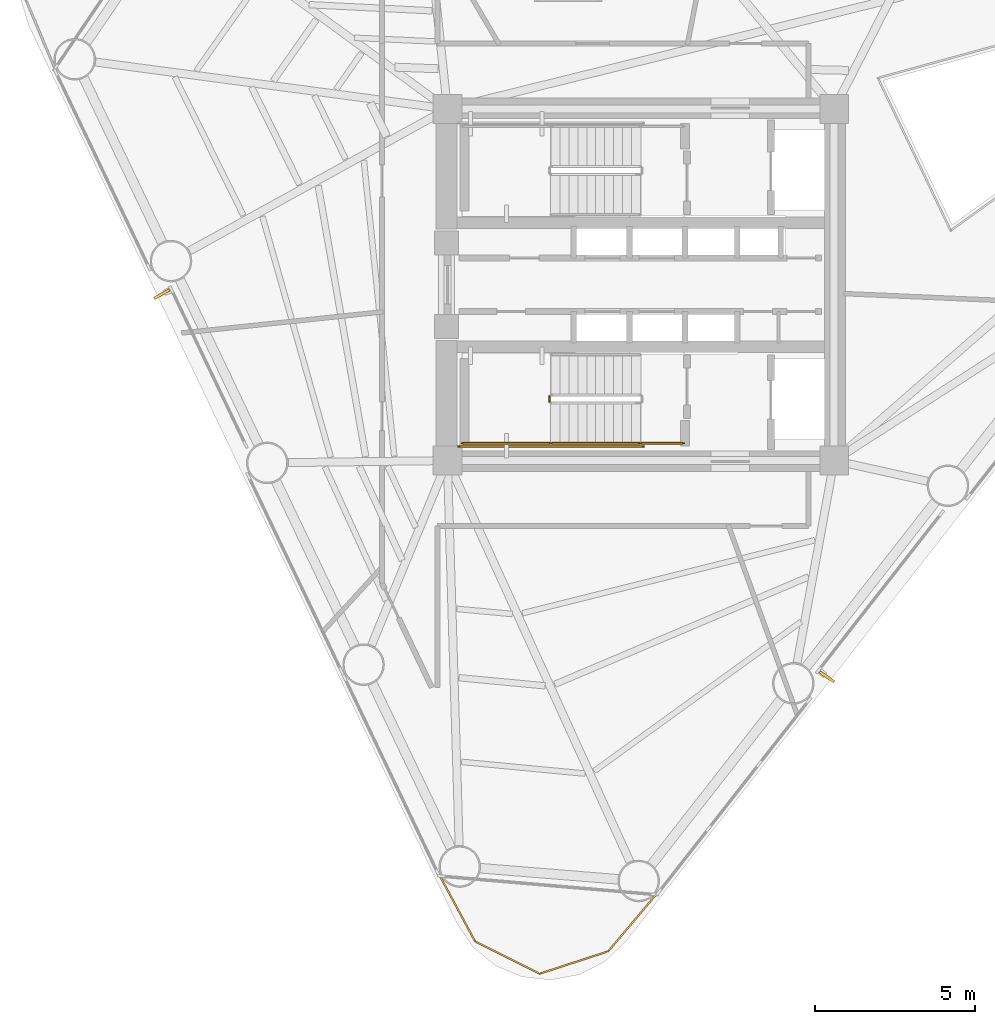
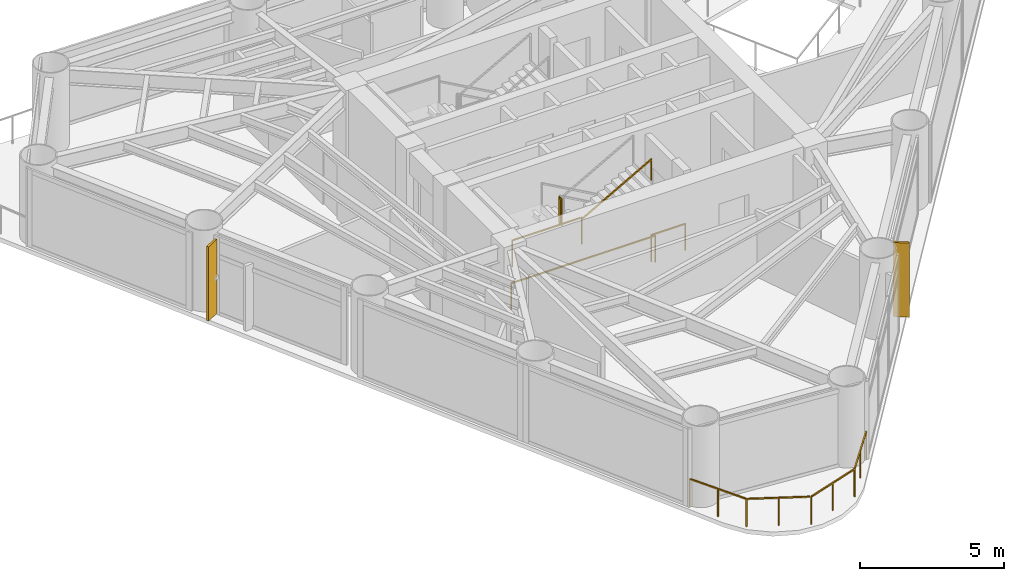
# One storey, part 8 of 10: 6 railings, 2 shading devices.
"""IFC4 building model written with IfcOpenShell, lengths in metres."""

from ifc_helpers import new_model, si_unit, direction, frame, origin, origin_2d, place, context, subcontext, project, spatial, rectangle, extrude, source, transform, mapped, material, material_profile, profile_set, type_object, element, save


model = new_model("IFC4")

# Units and contexts
model_context = context("Model", 3, precision=1e-05, world=origin(), true_north=direction((0.0, 1.0)))
body_context = subcontext(model_context, "Body", "Model", "MODEL_VIEW")
ifc_project = project(units=[si_unit("LENGTHUNIT", "METRE"), si_unit("AREAUNIT", "SQUARE_METRE"), si_unit("VOLUMEUNIT", "CUBIC_METRE"), si_unit("PLANEANGLEUNIT", "RADIAN"), si_unit("MASSUNIT", "GRAM", prefix="KILO")], contexts=[model_context])

# Site, building, storey
site_placement = place(None, origin())
site = spatial("IfcSite", under=ifc_project, at=site_placement, CompositionType="ELEMENT")
building_placement = place(site_placement, origin())
building = spatial("IfcBuilding", under=site, at=building_placement, Name="Yunling Apex Tower", CompositionType="ELEMENT")
storey_placement = place(building_placement, frame((0.0, 0.0, 136.39990234375)))
storey = spatial("IfcBuildingStorey", under=building, at=storey_placement, Name="L33", CompositionType="ELEMENT", Elevation=136.39990234375)

# Railings
ifc_material_1 = material(Name="Bronze anodised aluminium", Category="aluminium")
railing_type_1 = type_object("IfcRailingType", Name="RL-BAL-1200", PredefinedType="BALUSTRADE", material=ifc_material_1)
railing_1_placement = place(storey_placement, frame((0.4794921875, -19.07958984375, 0.0)))
element("IfcRailing", 1, at=railing_1_placement, inside=storey, type_object=railing_type_1, Name="RL-CRNSILL-L33-3", PredefinedType="BALUSTRADE", context=body_context, shape_type="SweptSolid", body=[
    extrude(rectangle(XDim=0.0439453125, YDim=0.0439453125, at=origin_2d()), origin(), (0.0, 0.0, 1.0), 1.199951171875),
    extrude(rectangle(XDim=0.0439453125, YDim=0.0439453125, at=origin_2d()), frame((-1.49853515625, -1.775390625, 0.0)), (0.0, 0.0, 1.0), 1.199951171875),
    extrude(rectangle(XDim=0.050048828125, YDim=0.050048828125, at=origin_2d()), frame((-0.024658203125, -0.029296875, 1.1748046875), z_axis=(-0.645009043245, -0.764174936865, 0.0), x_axis=(0.764174936865, -0.645009043245, 0.0)), (0.0, 0.0, 1.0), 2.24658203125),
    extrude(rectangle(XDim=0.0439453125, YDim=0.0439453125, at=origin_2d()), frame((-0.749267578125, -0.8876953125, 0.0)), (0.0, 0.0, 1.0), 1.14599609375),
    extrude(rectangle(XDim=0.0439453125, YDim=0.0439453125, at=origin_2d()), frame((-3.640380859375, -2.473876953125, 0.0)), (0.0, 0.0, 1.0), 1.199951171875),
    extrude(rectangle(XDim=0.050048828125, YDim=0.050048828125, at=origin_2d()), frame((-1.534912109375, -1.787353515625, 1.1748046875), z_axis=(-0.950722201045, -0.310044023389, 0.0), x_axis=(0.310044023389, -0.950722201045, 0.0)), (0.0, 0.0, 1.0), 2.17626953125),
    extrude(rectangle(XDim=0.0439453125, YDim=0.0439453125, at=origin_2d()), frame((-2.5693359375, -2.12451171875, 0.0)), (0.0, 0.0, 1.0), 1.14599609375),
    extrude(rectangle(XDim=0.0439453125, YDim=0.0439453125, at=origin_2d()), frame((-5.662841796875, -1.464111328125, 0.0)), (0.0, 0.0, 1.0), 1.199951171875),
    extrude(rectangle(XDim=0.050048828125, YDim=0.050048828125, at=origin_2d()), frame((-3.674560546875, -2.456787109375, 1.1748046875), z_axis=(-0.894686244893, 0.446695112129, 0.0), x_axis=(-0.446695112129, -0.894686244893, 0.0)), (0.0, 0.0, 1.0), 2.183837890625),
    extrude(rectangle(XDim=0.0439453125, YDim=0.0439453125, at=origin_2d()), frame((-4.651611328125, -1.968994140625, 0.0)), (0.0, 0.0, 1.0), 1.14599609375),
    extrude(rectangle(XDim=0.0439453125, YDim=0.0439453125, at=origin_2d()), frame((-6.76416015625, 0.580810546875, 0.0)), (0.0, 0.0, 1.0), 1.199951171875),
    extrude(rectangle(XDim=0.050048828125, YDim=0.050048828125, at=origin_2d()), frame((-5.680908203125, -1.430419921875, 1.1748046875), z_axis=(-0.474168772438, 0.880433969838, 0.0), x_axis=(-0.880433969838, -0.474168772438, 0.0)), (0.0, 0.0, 1.0), 2.245849609375),
    extrude(rectangle(XDim=0.0439453125, YDim=0.0439453125, at=origin_2d()), frame((-6.21337890625, -0.441650390625, 0.0)), (0.0, 0.0, 1.0), 1.14599609375),
])
ifc_material_2 = material(Name="Steel Q355B", Category="steel")
railing_type_2 = type_object("IfcRailingType", Name="RL-GRD-1150", PredefinedType="GUARDRAIL", material=ifc_material_2)
railing_2_placement = place(storey_placement, frame((-2.860107421875, -3.5, 1.72509765625)))
element("IfcRailing", 2, at=railing_2_placement, inside=storey, type_object=railing_type_2, Name="L33 ST-2 stair guard 2", PredefinedType="GUARDRAIL", context=body_context, shape_type="SweptSolid", body=[
    extrude(rectangle(XDim=0.0439453125, YDim=0.0439453125, at=origin_2d()), origin(), (0.0, 0.0, 1.0), 1.14990234375),
    extrude(rectangle(XDim=0.0439453125, YDim=0.0439453125, at=origin_2d()), frame((0.0, -0.14990234375, 0.0)), (0.0, 0.0, 1.0), 1.14990234375),
    extrude(rectangle(XDim=0.050048828125, YDim=0.050048828125, at=origin_2d()), frame((0.0, -0.038330078125, 1.125), z_axis=(0.0, -1.0, 0.0), x_axis=(1.0, 0.0, 0.0)), (0.0, 0.0, 1.0), 0.0732421875),
])
railing_3_placement = place(storey_placement, frame((-2.81005859375, -4.9599609375, 1.72509765625)))
element("IfcRailing", 3, at=railing_3_placement, inside=storey, type_object=railing_type_2, Name="L33 ST-2 stair guard 3", PredefinedType="GUARDRAIL", context=body_context, shape_type="SweptSolid", body=[
    extrude(rectangle(XDim=0.0439453125, YDim=0.0439453125, at=origin_2d()), origin(), (0.0, 0.0, 1.0), 1.14990234375),
    extrude(rectangle(XDim=0.0439453125, YDim=0.0439453125, at=origin_2d()), frame((-2.7900390625, 0.0, 0.0)), (0.0, 0.0, 1.0), 1.14990234375),
    extrude(rectangle(XDim=0.050048828125, YDim=0.050048828125, at=origin_2d()), frame((-0.038330078125, 0.0, 1.125), z_axis=(-1.0, 0.0, 0.0), x_axis=(0.0, -1.0, 0.0)), (0.0, 0.0, 1.0), 2.71337890625),
])
railing_4_placement = place(storey_placement, frame((1.35009765625, -4.9599609375, 0.0)))
element("IfcRailing", 4, at=railing_4_placement, inside=storey, type_object=railing_type_2, Name="L33 ST-2 stair guard 6", PredefinedType="GUARDRAIL", context=body_context, shape_type="SweptSolid", body=[
    extrude(rectangle(XDim=0.0439453125, YDim=0.0439453125, at=origin_2d()), origin(), (0.0, 0.0, 1.0), 1.14990234375),
    extrude(rectangle(XDim=0.0439453125, YDim=0.0439453125, at=origin_2d()), frame((-1.360107421875, 0.0, 0.0)), (0.0, 0.0, 1.0), 1.14990234375),
    extrude(rectangle(XDim=0.050048828125, YDim=0.050048828125, at=origin_2d()), frame((-0.038330078125, 0.0, 1.125), z_axis=(-1.0, 0.0, 0.0), x_axis=(0.0, -1.0, 0.0)), (0.0, 0.0, 1.0), 1.283447265625),
])
railing_5_placement = place(storey_placement, frame((0.090087890625, -5.06005859375, 0.0)))
element("IfcRailing", 5, at=railing_5_placement, inside=storey, type_object=railing_type_2, Name="L33 ST-2 stair guard 7", PredefinedType="GUARDRAIL", context=body_context, shape_type="SweptSolid", body=[
    extrude(rectangle(XDim=0.0439453125, YDim=0.0439453125, at=origin_2d()), origin(), (0.0, 0.0, 1.0), 1.14990234375),
    extrude(rectangle(XDim=0.0439453125, YDim=0.0439453125, at=origin_2d()), frame((-5.7900390625, 0.0, 0.0)), (0.0, 0.0, 1.0), 1.14990234375),
    extrude(rectangle(XDim=0.050048828125, YDim=0.050048828125, at=origin_2d()), frame((-0.038330078125, 0.0, 1.125), z_axis=(-1.0, 0.0, 0.0), x_axis=(0.0, -1.0, 0.0)), (0.0, 0.0, 1.0), 5.71337890625),
])
ifc_material_3 = material(Name="Silver anodised aluminium", Category="aluminium")
railing_type_3 = type_object("IfcRailingType", Name="RL-HND-900", PredefinedType="HANDRAIL", material=ifc_material_3)
railing_6_placement = place(storey_placement, frame((-2.81005859375, -4.9599609375, 1.8818359375)))
element("IfcRailing", 6, at=railing_6_placement, inside=storey, type_object=railing_type_3, Name="L33 ST-2 stair handrail 2", PredefinedType="HANDRAIL", context=body_context, shape_type="SweptSolid", body=[
    extrude(rectangle(XDim=0.0439453125, YDim=0.0439453125, at=origin_2d()), origin(), (0.0, 0.0, 1.0), 0.919921875),
    extrude(rectangle(XDim=0.0439453125, YDim=0.0439453125, at=origin_2d()), frame((2.800048828125, 0.0, 1.568359375)), (0.0, 0.0, 1.0), 0.919921875),
    extrude(rectangle(XDim=0.050048828125, YDim=0.050048828125, at=origin_2d()), frame((0.033447265625, 0.0, 0.91357421875), z_axis=(0.872461907711, 0.0, 0.488682125306), x_axis=(0.0, 1.0, 0.0)), (0.0, 0.0, 1.0), 3.1328125),
])

# Shading devices
ifc_material_profile = material_profile(ifc_material_1, rectangle(XDim=0.0849609375, YDim=0.550048828125, at=origin_2d()))
ifc_profile_set = profile_set([ifc_material_profile], Name="Bronze anodised aluminium")
shading_device_type = type_object("IfcShadingDeviceType", Name="FN-BRZ-3", PredefinedType="USERDEFINED", material=ifc_profile_set)
shared_shape = source(origin(), body_context, "Body", "SweptSolid", [
    extrude(rectangle(XDim=0.0849609375, YDim=0.550048828125, at=origin_2d()), origin(), (0.0, 0.0, 1.0), 3.14990234375),
])
for number, where, z_axis, x_axis, name in (
    (7, (5.82763671875, -12.268310546875, 0.06005859375), (0.0, 0.0, 1.0), (0.563381859003, 0.826196635763, 0.0), "CW-L33-F1-B2-FIN-01"),
    (8, (-14.984375, -0.2939453125, 0.06005859375), (0.0, 0.0, 1.0), (0.488621241497, -0.872496007073, 0.0), "CW-L33-F3-B2-FIN-01"),
):
    element("IfcShadingDevice", number, at=place(storey_placement, frame(where, z_axis=z_axis, x_axis=x_axis)), inside=storey, type_object=shading_device_type, Name=name, ObjectType="FIN", PredefinedType="USERDEFINED", context=body_context, shape_type="MappedRepresentation", body=[
        mapped(shared_shape, transform((0.0, 0.0, 0.0), scale=1.0)),
    ])

save(model, "model.ifc")
